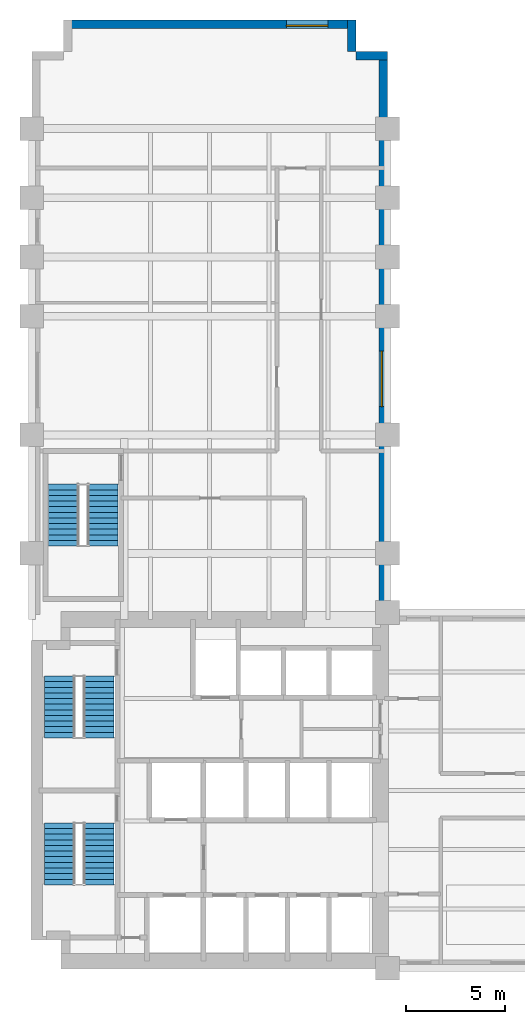
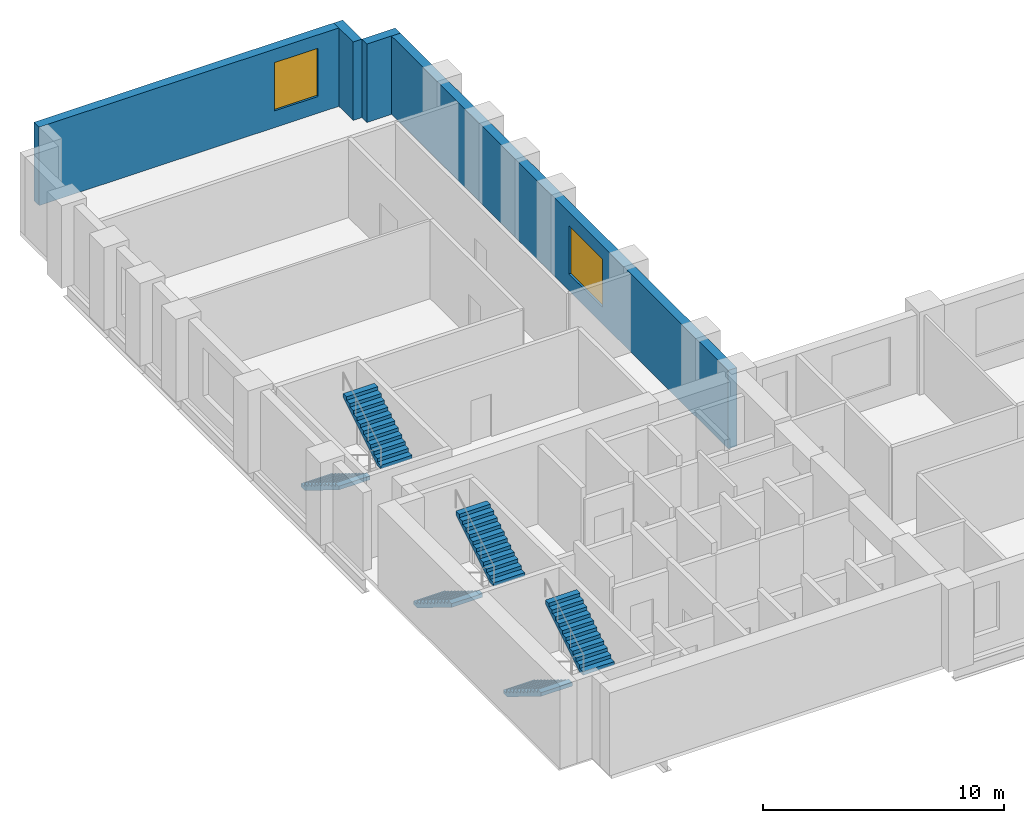
# One storey, part 6 of 7: 6 stair flights, 4 walls, 2 windows, 2 openings, 3 elements without a shape of their own.
"""IFC4 building model written with IfcOpenShell, lengths in metres."""

import ifcopenshell
import ifcopenshell.guid

model = None  # the IFC model being written
_history = None  # IfcOwnerHistory: only IFC2X3 demands one
_inside = {}  # id of a spatial element -> (the spatial element, [elements in it])
_under = {}  # id of a project, library or spatial element -> (it, [spatial elements below it])
_declared = {}  # id of a project -> (the project, [libraries it declares])
_typed = {}  # id of a type object -> (the type object, [elements of that type])
_made_of = {}  # id of a material, layer set ... -> (it, [elements and type objects made of it])


def new_model(schema):
    """Start an empty IFC model of exactly this schema.

    Asked for "IFC4X3", IfcOpenShell would pick the latest addendum, in which some entities
    have other attributes; the version numbers below select the first issue.
    IFC2X3 requires an IfcOwnerHistory on every rooted entity: one is made here for all.
    """
    global model, _history
    if schema == "IFC4X3":
        model = ifcopenshell.file(schema_version=(4, 3, 0, 0))
    else:
        model = ifcopenshell.file(schema=schema)
    _inside.clear()
    _under.clear()
    _declared.clear()
    _typed.clear()
    _made_of.clear()
    _history = None
    if model.schema == "IFC2X3":
        org = make("IfcOrganization", Name="unknown")
        user = make(
            "IfcPersonAndOrganization",
            ThePerson=make("IfcPerson", FamilyName="unknown"),
            TheOrganization=org,
        )
        app = make(
            "IfcApplication",
            ApplicationDeveloper=org,
            Version="unknown",
            ApplicationFullName="unknown",
            ApplicationIdentifier="unknown",
        )
        _history = make(
            "IfcOwnerHistory",
            OwningUser=user,
            OwningApplication=app,
            ChangeAction="ADDED",
            CreationDate=0,
        )
    return model


def make(cls, **values):
    """One entity of the class cls with the attributes given. An attribute that is None is left unset."""
    return model.create_entity(
        cls, **{name: value for name, value in values.items() if value is not None}
    )


def rooted(cls, **values):
    """An entity with a GlobalId (a new one), such as an element, a storey or a relation."""
    return make(cls, GlobalId=ifcopenshell.guid.new(), OwnerHistory=_history, **values)


def si_unit(unit_type, name, prefix=None):
    """IfcSIUnit, for example si_unit("LENGTHUNIT", "METRE", prefix="MILLI")."""
    return make("IfcSIUnit", UnitType=unit_type, Prefix=prefix, Name=name)


def assignment(units):
    """IfcUnitAssignment: the units of a project."""
    return None if units is None else make("IfcUnitAssignment", Units=units)


def point(xyz):
    """IfcCartesianPoint."""
    return None if xyz is None else make("IfcCartesianPoint", Coordinates=xyz)


def direction(xyz):
    """IfcDirection."""
    return None if xyz is None else make("IfcDirection", DirectionRatios=xyz)


def frame(location, z_axis=None, x_axis=None):
    """IfcAxis2Placement3D, a coordinate frame: its origin and axes. An axis left out is left unset."""
    return make(
        "IfcAxis2Placement3D",
        Location=point(location),
        Axis=direction(z_axis),
        RefDirection=direction(x_axis),
    )


def frame_2d(location, x_axis=None):
    """IfcAxis2Placement2D, a coordinate frame in the plane: its origin and x axis."""
    return make(
        "IfcAxis2Placement2D", Location=point(location), RefDirection=direction(x_axis)
    )


def origin():
    """The frame at (0, 0, 0) with its axes left unset."""
    return frame((0.0, 0.0, 0.0))


def place(relative_to, where):
    """IfcLocalPlacement: puts the frame where relative to a parent placement (None: the world)."""
    return make(
        "IfcLocalPlacement", PlacementRelTo=relative_to, RelativePlacement=where
    )


def context(
    kind, dimensions, precision=None, world=None, true_north=None, identifier=None
):
    """IfcGeometricRepresentationContext, for example the 3D "Model" context."""
    return make(
        "IfcGeometricRepresentationContext",
        ContextIdentifier=identifier,
        ContextType=kind,
        CoordinateSpaceDimension=dimensions,
        Precision=precision,
        WorldCoordinateSystem=world,
        TrueNorth=true_north,
    )


def subcontext(parent, identifier, kind, view, scale=None):
    """IfcGeometricRepresentationSubContext, for example "Body" below "Model"."""
    return make(
        "IfcGeometricRepresentationSubContext",
        ContextIdentifier=identifier,
        ContextType=kind,
        ParentContext=parent,
        TargetScale=scale,
        TargetView=view,
    )


def project(units=None, contexts=None):
    """IfcProject with its units and contexts."""
    return rooted(
        "IfcProject",
        Name="project",
        RepresentationContexts=contexts,
        UnitsInContext=assignment(units),
    )


def spatial(cls, under=None, at=None, **own):
    """A site, building, storey or space (cls), placed at a placement, below another one or the project."""
    s = rooted(cls, ObjectPlacement=at, **own)
    if under is not None:
        _under.setdefault(under.id(), (under, []))[1].append(s)
    return s


def polyline(points):
    """IfcPolyline through the points."""
    return make("IfcPolyline", Points=[point(p) for p in points])


def profile(cls, at=None, kind="AREA", **sizes):
    """A parametric profile (cls). Its sizes go by their IFC names, for example OverallWidth=200.0."""
    return make(cls, ProfileType=kind, Position=at, **sizes)


def rectangle(**sizes):
    """IfcRectangleProfileDef."""
    return profile("IfcRectangleProfileDef", **sizes)


def outline(outer, holes=None, kind="AREA"):
    """IfcArbitraryClosedProfileDef: a profile drawn as a closed curve; with holes, ...WithVoids."""
    if holes is None:
        return make("IfcArbitraryClosedProfileDef", ProfileType=kind, OuterCurve=outer)
    return make(
        "IfcArbitraryProfileDefWithVoids",
        ProfileType=kind,
        OuterCurve=outer,
        InnerCurves=holes,
    )


def extrude(swept, where, along, depth):
    """IfcExtrudedAreaSolid: the profile swept, set in the frame where, extruded along a direction by depth."""
    return make(
        "IfcExtrudedAreaSolid",
        SweptArea=swept,
        Position=where,
        ExtrudedDirection=direction(along),
        Depth=depth,
    )


def shape(context_of_items, identifier, shape_type, items):
    """IfcShapeRepresentation: the items that make up one representation, for example the "Body"."""
    return make(
        "IfcShapeRepresentation",
        ContextOfItems=context_of_items,
        RepresentationIdentifier=identifier,
        RepresentationType=shape_type,
        Items=items,
    )


def material(Name=None, Category=None):
    """IfcMaterial."""
    return make("IfcMaterial", Name=Name, Category=Category)


def layer(
    of_material, thickness, ventilated=None, Name=None, Category=None, Priority=None
):
    """IfcMaterialLayer: one layer of a wall or slab, of a material (None: an air gap)."""
    return make(
        "IfcMaterialLayer",
        Material=of_material,
        LayerThickness=thickness,
        IsVentilated=ventilated,
        Name=Name,
        Category=Category,
        Priority=Priority,
    )


def layer_set(layers, Name=None):
    """IfcMaterialLayerSet."""
    return make("IfcMaterialLayerSet", MaterialLayers=layers, LayerSetName=Name)


def made_of(thing, what):
    """Note that an element or type object is made of a material, layer set ...; save() writes the relation."""
    if what is not None:
        _made_of.setdefault(what.id(), (what, []))[1].append(thing)
    return thing


def type_object(cls, material=None, **own):
    """A type object (cls), such as IfcWallType, which elements share."""
    return made_of(rooted(cls, **own), material)


def element(
    cls,
    number,
    at=None,
    inside=None,
    cuts=None,
    type_object=None,
    material=None,
    context=None,
    identifier="Body",
    shape_type=None,
    held_by="IfcProductDefinitionShape",
    body=None,
    shapes=None,
    **own,
):
    """One element of the class cls, such as IfcWall. Its Tag is "e" and its number.

    at: its placement. inside: the storey or other place that contains it. cuts: it is an
    opening in that element (IfcRelVoidsElement). A single representation is given by context,
    identifier, shape_type and body (its items); several are given by shapes. held_by: the class
    of the entity that holds the representations. save() writes the other relations.
    """
    e = rooted(cls, Tag="e%d" % number, ObjectPlacement=at, **own)
    if body is not None:
        shapes = [shape(context, identifier, shape_type, body)]
    if shapes is not None:
        e.Representation = make(held_by, Representations=shapes)
    if inside is not None:
        _inside.setdefault(inside.id(), (inside, []))[1].append(e)
    if cuts is not None:
        rooted(
            "IfcRelVoidsElement", RelatingBuildingElement=cuts, RelatedOpeningElement=e
        )
    if type_object is not None:
        _typed.setdefault(type_object.id(), (type_object, []))[1].append(e)
    return made_of(e, material)


def fill(opening, filler):
    """IfcRelFillsElement: the door or window that sits in an opening."""
    return rooted(
        "IfcRelFillsElement",
        RelatingOpeningElement=opening,
        RelatedBuildingElement=filler,
    )


def aggregate(whole, parts):
    """IfcRelAggregates: a whole, such as a stair, and the parts it consists of."""
    return rooted("IfcRelAggregates", RelatingObject=whole, RelatedObjects=parts)


def save(model, path):
    """Write the relations noted so far, then the file.

    IfcRelAggregates (storeys below a building ...), IfcRelContainedInSpatialStructure (elements
    in a storey), IfcRelDefinesByType, IfcRelAssociatesMaterial and IfcRelDeclares: one each for
    every whole, place, type object, material and project.
    """
    for whole, parts in _under.values():
        aggregate(whole, parts)
    for where, things in _inside.values():
        rooted(
            "IfcRelContainedInSpatialStructure",
            RelatedElements=things,
            RelatingStructure=where,
        )
    for kind, things in _typed.values():
        rooted("IfcRelDefinesByType", RelatedObjects=things, RelatingType=kind)
    for what, things in _made_of.values():
        rooted("IfcRelAssociatesMaterial", RelatedObjects=things, RelatingMaterial=what)
    for by, libraries in _declared.values():
        rooted("IfcRelDeclares", RelatingContext=by, RelatedDefinitions=libraries)
    model.write(path)


model = new_model("IFC4")

# Units and contexts
model_context = context("Model", 3, precision=1e-05, world=origin(), true_north=direction((0.0, 1.0)))
body_context = subcontext(model_context, "Body", "Model", "MODEL_VIEW")
ifc_project = project(units=[si_unit("LENGTHUNIT", "METRE"), si_unit("AREAUNIT", "SQUARE_METRE"), si_unit("VOLUMEUNIT", "CUBIC_METRE"), si_unit("PLANEANGLEUNIT", "RADIAN"), si_unit("MASSUNIT", "GRAM", prefix="KILO")], contexts=[model_context])

# Site, building, storey
site_placement = place(None, origin())
site = spatial("IfcSite", under=ifc_project, at=site_placement, CompositionType="ELEMENT")
building_placement = place(site_placement, origin())
building = spatial("IfcBuilding", under=site, at=building_placement, Name="Mawjdan Bourse Tower", CompositionType="ELEMENT")
storey_placement = place(building_placement, frame((0.0, 0.0, 59.39990234375)))
storey = spatial("IfcBuildingStorey", under=building, at=storey_placement, Name="L13", CompositionType="ELEMENT", Elevation=59.39990234375)

# Wall, opening, window
ifc_material_1 = material(Name="Brick Masonry Buff", Category="masonry")
ifc_layer = layer(ifc_material_1, 0.419921875)
ifc_layer_set = layer_set([ifc_layer], Name="Brick Masonry Buff")
wall_type = type_object("IfcWallType", Name="WL-BRK-BUFF-420", PredefinedType="STANDARD", material=ifc_layer_set)
wall_1_placement = place(storey_placement, frame((23.7900390625, 21.0, 0.0), z_axis=(0.0, 0.0, 1.0), x_axis=(0.0, 1.0, 0.0)))
wall_1 = element("IfcWall", 1, at=wall_1_placement, inside=storey, type_object=wall_type, Name="L13 Exterior Brick Wall 8", PredefinedType="STANDARD", context=body_context, shape_type="SweptSolid", body=[
    extrude(rectangle(XDim=28.39990234375, YDim=0.419921875, at=frame_2d((14.199951171875, 0.0))), origin(), (0.0, 0.0, 1.0), 3.97998046875),
])
opening_1_placement = place(wall_1_placement, frame((10.433349609375, 0.0, 0.85009765625)))
opening_1 = element("IfcOpeningElement", 2, at=opening_1_placement, cuts=wall_1, Name="Opening W-L13-04", PredefinedType="OPENING", context=body_context, shape_type="SweptSolid", body=[
    extrude(rectangle(XDim=2.800048828125, YDim=2.449951171875, at=frame_2d((1.39990234375, 1.22509765625))), frame((0.0, 0.219970703125, 0.0), z_axis=(0.0, -1.0, 0.0), x_axis=(1.0, 0.0, 0.0)), (0.0, 0.0, 1.0), 0.43994140625),
])
ifc_material_2 = material(Name="Solar-Control Clear Double Glazing", Category="glass")
window_type_1 = type_object("IfcWindowType", Name="WN-TRD-2800", PartitioningType="SINGLE_PANEL", PredefinedType="WINDOW", material=ifc_material_2)
window_1_placement = place(opening_1_placement, origin())
window_1 = element("IfcWindow", 3, at=window_1_placement, inside=storey, type_object=window_type_1, Name="L13 Deep-Set Masonry Window W-L13-04", OverallHeight=2.449951171875, OverallWidth=2.800048828125, PartitioningType="SINGLE_PANEL", PredefinedType="WINDOW", context=body_context, shape_type="SweptSolid", body=[
    extrude(rectangle(XDim=2.800048828125, YDim=2.449951171875, at=frame_2d((1.39990234375, 1.22509765625))), frame((0.0, 0.110107421875, 0.0), z_axis=(0.0, -1.0, 0.0), x_axis=(1.0, 0.0, 0.0)), (0.0, 0.0, 1.0), 0.06005859375),
])
fill(opening_1, window_1)

# Walls
for number, where, z_axis, x_axis, name in (
    (4, (24.0, 49.18994140625, 0.0), (0.0, 0.0, 1.0), (-1.0, 0.0, 0.0), "L13 Exterior Brick Wall 9"),
    (5, (22.18994140625, 49.39990234375, 0.0), (0.0, 0.0, 1.0), (0.0, 1.0, 0.0), "L13 Exterior Brick Wall 10"),
):
    element("IfcWall", number, at=place(storey_placement, frame(where, z_axis=z_axis, x_axis=x_axis)), inside=storey, type_object=wall_type, Name=name, PredefinedType="STANDARD", context=body_context, shape_type="SweptSolid", body=[
        extrude(rectangle(XDim=1.60009765625, YDim=0.419921875, at=frame_2d((0.800048828125, 0.0))), origin(), (0.0, 0.0, 1.0), 3.97998046875),
    ])

# Wall, opening, window
wall_2_placement = place(storey_placement, frame((22.39990234375, 50.7900390625, 0.0), z_axis=(0.0, 0.0, 1.0), x_axis=(-1.0, 0.0, 0.0)))
wall_2 = element("IfcWall", 6, at=wall_2_placement, inside=storey, type_object=wall_type, Name="L13 Exterior Brick Wall 11", PredefinedType="STANDARD", context=body_context, shape_type="SweptSolid", body=[
    extrude(rectangle(XDim=14.7998046875, YDim=0.419921875, at=frame_2d((7.39990234375, 0.0))), origin(), (0.0, 0.0, 1.0), 3.97998046875),
])
opening_2_placement = place(wall_2_placement, frame((1.416748046875, 0.0, 0.85009765625)))
opening_2 = element("IfcOpeningElement", 7, at=opening_2_placement, cuts=wall_2, Name="Opening W-L13-05", PredefinedType="OPENING", context=body_context, shape_type="SweptSolid", body=[
    extrude(rectangle(XDim=2.10009765625, YDim=2.449951171875, at=frame_2d((1.050048828125, 1.22509765625))), frame((0.0, 0.219970703125, 0.0), z_axis=(0.0, -1.0, 0.0), x_axis=(1.0, 0.0, 0.0)), (0.0, 0.0, 1.0), 0.43994140625),
])
window_type_2 = type_object("IfcWindowType", Name="WN-TRD-2100", PartitioningType="SINGLE_PANEL", PredefinedType="WINDOW", material=ifc_material_2)
window_2_placement = place(opening_2_placement, origin())
window_2 = element("IfcWindow", 8, at=window_2_placement, inside=storey, type_object=window_type_2, Name="L13 Deep-Set Masonry Window W-L13-05", OverallHeight=2.449951171875, OverallWidth=2.10009765625, PartitioningType="SINGLE_PANEL", PredefinedType="WINDOW", context=body_context, shape_type="SweptSolid", body=[
    extrude(rectangle(XDim=2.10009765625, YDim=2.449951171875, at=frame_2d((1.050048828125, 1.22509765625))), frame((0.0, 0.110107421875, 0.0), z_axis=(0.0, -1.0, 0.0), x_axis=(1.0, 0.0, 0.0)), (0.0, 0.0, 1.0), 0.06005859375),
])
fill(opening_2, window_2)

# Stair, stair flights
ifc_material_3 = material(Name="Concrete C50/60", Category="concrete")
stair_type = type_object("IfcStairType", Name="STR-CORE-1500", PredefinedType="HALF_TURN_STAIR", material=ifc_material_3)
stair_1_placement = place(storey_placement, origin())
stair_1 = element("IfcStair", 9, at=stair_1_placement, inside=storey, type_object=stair_type, Name="L13 Exit Stair 1 (Core South-West)", PredefinedType="HALF_TURN_STAIR")
stair_flight_type = type_object("IfcStairFlightType", Name="SFL-RC-1500", PredefinedType="STRAIGHT", material=ifc_material_3)
stair_flight_1_placement = place(storey_placement, frame((7.389892578125, 10.35009765625, 0.0), z_axis=(0.0, 0.0, 1.0), x_axis=(0.0, -1.0, 0.0)))
stair_flight_1 = element("IfcStairFlight", 10, at=stair_flight_1_placement, type_object=stair_flight_type, Name="ST1-L13 flight 1", NumberOfRisers=12, NumberOfTreads=11, PredefinedType="STRAIGHT", RiserHeight=0.175, TreadLength=0.285, context=body_context, shape_type="SweptSolid", body=[
    extrude(outline(polyline([(0.0, 0.0), (0.0, 0.175048828125), (0.284912109375, 0.175048828125), (0.284912109375, 0.35009765625), (0.570068359375, 0.35009765625), (0.570068359375, 0.52490234375), (0.85498046875, 0.52490234375), (0.85498046875, 0.699951171875), (1.139892578125, 0.699951171875), (1.139892578125, 0.875), (1.425048828125, 0.875), (1.425048828125, 1.050048828125), (1.7099609375, 1.050048828125), (1.7099609375, 1.22509765625), (1.9951171875, 1.22509765625), (1.9951171875, 1.39990234375), (2.280029296875, 1.39990234375), (2.280029296875, 1.574951171875), (2.56494140625, 1.574951171875), (2.56494140625, 1.75), (2.85009765625, 1.75), (2.85009765625, 1.925048828125), (3.135009765625, 1.925048828125), (3.135009765625, 2.10009765625), (3.135009765625, 1.7373046875), (0.3056640625, 0.0), (0.0, 0.0)])), frame((0.0, 0.75, 0.0), z_axis=(0.0, -1.0, 0.0), x_axis=(1.0, 0.0, 0.0)), (0.0, 0.0, 1.0), 1.5),
])
stair_flight_2_placement = place(storey_placement, frame((9.409912109375, 7.215087890625, 2.10009765625), z_axis=(0.0, 0.0, 1.0), x_axis=(0.0, 1.0, 0.0)))
stair_flight_2 = element("IfcStairFlight", 11, at=stair_flight_2_placement, type_object=stair_flight_type, Name="ST1-L13 flight 2", NumberOfRisers=12, NumberOfTreads=11, PredefinedType="STRAIGHT", RiserHeight=0.175, TreadLength=0.285, context=body_context, shape_type="SweptSolid", body=[
    extrude(outline(polyline([(0.0, 0.0), (0.0, 0.175048828125), (0.284912109375, 0.175048828125), (0.284912109375, 0.35009765625), (0.570068359375, 0.35009765625), (0.570068359375, 0.52490234375), (0.85498046875, 0.52490234375), (0.85498046875, 0.699951171875), (1.139892578125, 0.699951171875), (1.139892578125, 0.875), (1.425048828125, 0.875), (1.425048828125, 1.050048828125), (1.7099609375, 1.050048828125), (1.7099609375, 1.22509765625), (1.9951171875, 1.22509765625), (1.9951171875, 1.39990234375), (2.280029296875, 1.39990234375), (2.280029296875, 1.574951171875), (2.56494140625, 1.574951171875), (2.56494140625, 1.75), (2.85009765625, 1.75), (2.85009765625, 1.925048828125), (3.135009765625, 1.925048828125), (3.135009765625, 2.10009765625), (3.135009765625, 1.7373046875), (0.3056640625, 0.0), (0.0, 0.0)])), frame((0.0, 0.75, 0.0), z_axis=(0.0, -1.0, 0.0), x_axis=(1.0, 0.0, 0.0)), (0.0, 0.0, 1.0), 1.5),
])
aggregate(stair_1, [stair_flight_1, stair_flight_2])

stair_2_placement = place(storey_placement, origin())
stair_2 = element("IfcStair", 12, at=stair_2_placement, inside=storey, type_object=stair_type, Name="L13 Exit Stair 2 (Core North-West)", PredefinedType="HALF_TURN_STAIR")
stair_flight_3_placement = place(storey_placement, frame((7.389892578125, 17.7900390625, 0.0), z_axis=(0.0, 0.0, 1.0), x_axis=(0.0, -1.0, 0.0)))
stair_flight_3 = element("IfcStairFlight", 13, at=stair_flight_3_placement, type_object=stair_flight_type, Name="ST2-L13 flight 1", NumberOfRisers=12, NumberOfTreads=11, PredefinedType="STRAIGHT", RiserHeight=0.175, TreadLength=0.285, context=body_context, shape_type="SweptSolid", body=[
    extrude(outline(polyline([(0.0, 0.0), (0.0, 0.175048828125), (0.284912109375, 0.175048828125), (0.284912109375, 0.35009765625), (0.570068359375, 0.35009765625), (0.570068359375, 0.52490234375), (0.85498046875, 0.52490234375), (0.85498046875, 0.699951171875), (1.139892578125, 0.699951171875), (1.139892578125, 0.875), (1.425048828125, 0.875), (1.425048828125, 1.050048828125), (1.7099609375, 1.050048828125), (1.7099609375, 1.22509765625), (1.9951171875, 1.22509765625), (1.9951171875, 1.39990234375), (2.280029296875, 1.39990234375), (2.280029296875, 1.574951171875), (2.56494140625, 1.574951171875), (2.56494140625, 1.75), (2.85009765625, 1.75), (2.85009765625, 1.925048828125), (3.135009765625, 1.925048828125), (3.135009765625, 2.10009765625), (3.135009765625, 1.7373046875), (0.3056640625, 0.0), (0.0, 0.0)])), frame((0.0, 0.75, 0.0), z_axis=(0.0, -1.0, 0.0), x_axis=(1.0, 0.0, 0.0)), (0.0, 0.0, 1.0), 1.5),
])
stair_flight_4_placement = place(storey_placement, frame((9.409912109375, 14.655029296875, 2.10009765625), z_axis=(0.0, 0.0, 1.0), x_axis=(0.0, 1.0, 0.0)))
stair_flight_4 = element("IfcStairFlight", 14, at=stair_flight_4_placement, type_object=stair_flight_type, Name="ST2-L13 flight 2", NumberOfRisers=12, NumberOfTreads=11, PredefinedType="STRAIGHT", RiserHeight=0.175, TreadLength=0.285, context=body_context, shape_type="SweptSolid", body=[
    extrude(outline(polyline([(0.0, 0.0), (0.0, 0.175048828125), (0.284912109375, 0.175048828125), (0.284912109375, 0.35009765625), (0.570068359375, 0.35009765625), (0.570068359375, 0.52490234375), (0.85498046875, 0.52490234375), (0.85498046875, 0.699951171875), (1.139892578125, 0.699951171875), (1.139892578125, 0.875), (1.425048828125, 0.875), (1.425048828125, 1.050048828125), (1.7099609375, 1.050048828125), (1.7099609375, 1.22509765625), (1.9951171875, 1.22509765625), (1.9951171875, 1.39990234375), (2.280029296875, 1.39990234375), (2.280029296875, 1.574951171875), (2.56494140625, 1.574951171875), (2.56494140625, 1.75), (2.85009765625, 1.75), (2.85009765625, 1.925048828125), (3.135009765625, 1.925048828125), (3.135009765625, 2.10009765625), (3.135009765625, 1.7373046875), (0.3056640625, 0.0), (0.0, 0.0)])), frame((0.0, 0.75, 0.0), z_axis=(0.0, -1.0, 0.0), x_axis=(1.0, 0.0, 0.0)), (0.0, 0.0, 1.0), 1.5),
])
aggregate(stair_2, [stair_flight_3, stair_flight_4])

stair_3_placement = place(storey_placement, origin())
stair_3 = element("IfcStair", 15, at=stair_3_placement, inside=storey, type_object=stair_type, Name="L13 Exit Stair 3 (North Wing)", PredefinedType="HALF_TURN_STAIR")
stair_flight_5_placement = place(storey_placement, frame((7.590087890625, 27.5, 0.0), z_axis=(0.0, 0.0, 1.0), x_axis=(0.0, -1.0, 0.0)))
stair_flight_5 = element("IfcStairFlight", 16, at=stair_flight_5_placement, type_object=stair_flight_type, Name="ST3-L13 flight 1", NumberOfRisers=12, NumberOfTreads=11, PredefinedType="STRAIGHT", RiserHeight=0.175, TreadLength=0.285, context=body_context, shape_type="SweptSolid", body=[
    extrude(outline(polyline([(0.0, 0.0), (0.0, 0.175048828125), (0.284912109375, 0.175048828125), (0.284912109375, 0.35009765625), (0.570068359375, 0.35009765625), (0.570068359375, 0.52490234375), (0.85498046875, 0.52490234375), (0.85498046875, 0.699951171875), (1.139892578125, 0.699951171875), (1.139892578125, 0.875), (1.425048828125, 0.875), (1.425048828125, 1.050048828125), (1.7099609375, 1.050048828125), (1.7099609375, 1.22509765625), (1.9951171875, 1.22509765625), (1.9951171875, 1.39990234375), (2.280029296875, 1.39990234375), (2.280029296875, 1.574951171875), (2.56494140625, 1.574951171875), (2.56494140625, 1.75), (2.85009765625, 1.75), (2.85009765625, 1.925048828125), (3.135009765625, 1.925048828125), (3.135009765625, 2.10009765625), (3.135009765625, 1.7373046875), (0.3056640625, 0.0), (0.0, 0.0)])), frame((0.0, 0.75, 0.0), z_axis=(0.0, -1.0, 0.0), x_axis=(1.0, 0.0, 0.0)), (0.0, 0.0, 1.0), 1.5),
])
stair_flight_6_placement = place(storey_placement, frame((9.610107421875, 24.364990234375, 2.10009765625), z_axis=(0.0, 0.0, 1.0), x_axis=(0.0, 1.0, 0.0)))
stair_flight_6 = element("IfcStairFlight", 17, at=stair_flight_6_placement, type_object=stair_flight_type, Name="ST3-L13 flight 2", NumberOfRisers=12, NumberOfTreads=11, PredefinedType="STRAIGHT", RiserHeight=0.175, TreadLength=0.285, context=body_context, shape_type="SweptSolid", body=[
    extrude(outline(polyline([(0.0, 0.0), (0.0, 0.175048828125), (0.284912109375, 0.175048828125), (0.284912109375, 0.35009765625), (0.570068359375, 0.35009765625), (0.570068359375, 0.52490234375), (0.85498046875, 0.52490234375), (0.85498046875, 0.699951171875), (1.139892578125, 0.699951171875), (1.139892578125, 0.875), (1.425048828125, 0.875), (1.425048828125, 1.050048828125), (1.7099609375, 1.050048828125), (1.7099609375, 1.22509765625), (1.9951171875, 1.22509765625), (1.9951171875, 1.39990234375), (2.280029296875, 1.39990234375), (2.280029296875, 1.574951171875), (2.56494140625, 1.574951171875), (2.56494140625, 1.75), (2.85009765625, 1.75), (2.85009765625, 1.925048828125), (3.135009765625, 1.925048828125), (3.135009765625, 2.10009765625), (3.135009765625, 1.7373046875), (0.3056640625, 0.0), (0.0, 0.0)])), frame((0.0, 0.75, 0.0), z_axis=(0.0, -1.0, 0.0), x_axis=(1.0, 0.0, 0.0)), (0.0, 0.0, 1.0), 1.5),
])
aggregate(stair_3, [stair_flight_5, stair_flight_6])

save(model, "model.ifc")
